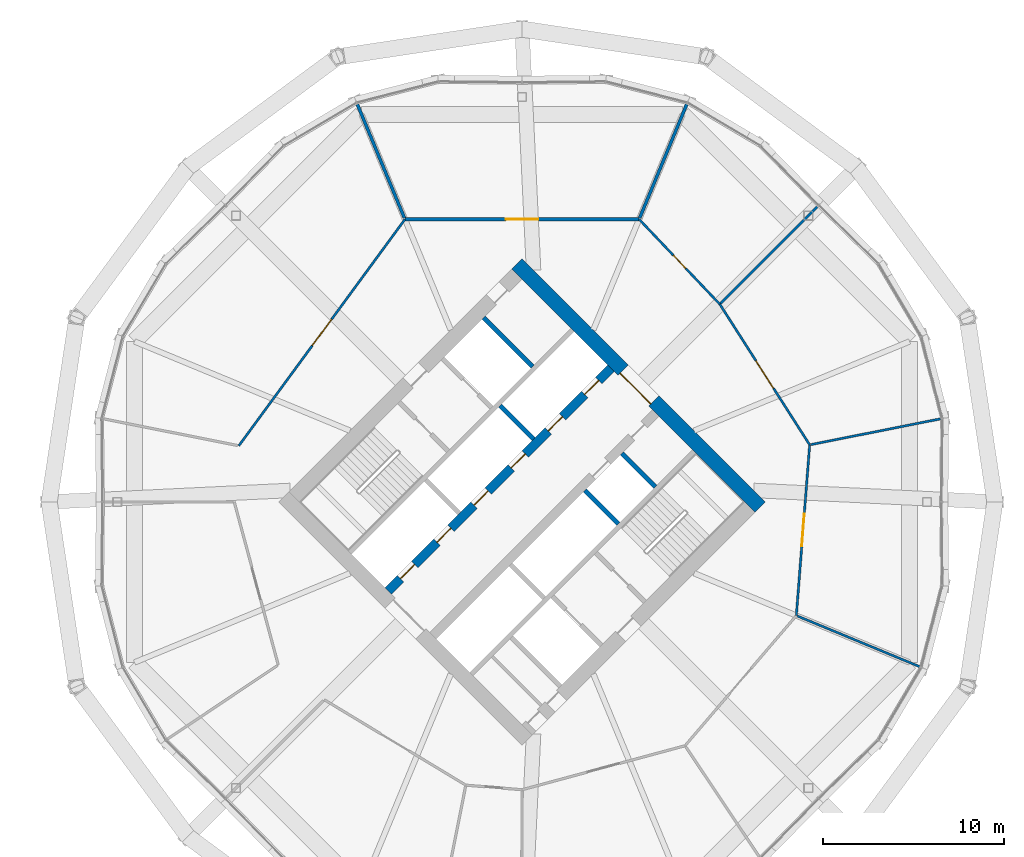
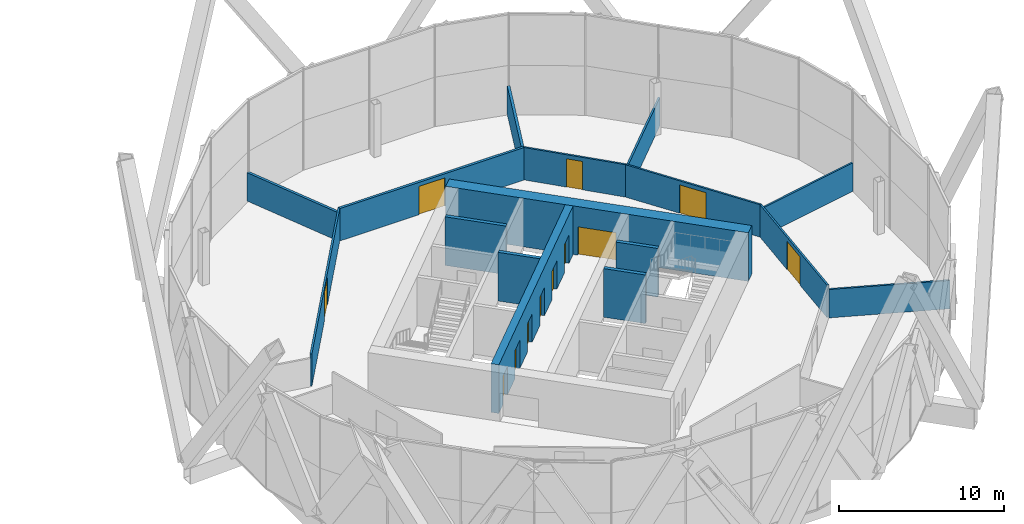
# One storey, part 25 of 28: 16 walls, 12 doors, 12 openings.
"""IFC4 building model written with IfcOpenShell, lengths in metres."""

import ifcopenshell
import ifcopenshell.guid

model = None  # the IFC model being written
_history = None  # IfcOwnerHistory: only IFC2X3 demands one
_inside = {}  # id of a spatial element -> (the spatial element, [elements in it])
_under = {}  # id of a project, library or spatial element -> (it, [spatial elements below it])
_declared = {}  # id of a project -> (the project, [libraries it declares])
_typed = {}  # id of a type object -> (the type object, [elements of that type])
_made_of = {}  # id of a material, layer set ... -> (it, [elements and type objects made of it])


def new_model(schema):
    """Start an empty IFC model of exactly this schema.

    Asked for "IFC4X3", IfcOpenShell would pick the latest addendum, in which some entities
    have other attributes; the version numbers below select the first issue.
    IFC2X3 requires an IfcOwnerHistory on every rooted entity: one is made here for all.
    """
    global model, _history
    if schema == "IFC4X3":
        model = ifcopenshell.file(schema_version=(4, 3, 0, 0))
    else:
        model = ifcopenshell.file(schema=schema)
    _inside.clear()
    _under.clear()
    _declared.clear()
    _typed.clear()
    _made_of.clear()
    _history = None
    if model.schema == "IFC2X3":
        org = make("IfcOrganization", Name="unknown")
        user = make(
            "IfcPersonAndOrganization",
            ThePerson=make("IfcPerson", FamilyName="unknown"),
            TheOrganization=org,
        )
        app = make(
            "IfcApplication",
            ApplicationDeveloper=org,
            Version="unknown",
            ApplicationFullName="unknown",
            ApplicationIdentifier="unknown",
        )
        _history = make(
            "IfcOwnerHistory",
            OwningUser=user,
            OwningApplication=app,
            ChangeAction="ADDED",
            CreationDate=0,
        )
    return model


def make(cls, **values):
    """One entity of the class cls with the attributes given. An attribute that is None is left unset."""
    return model.create_entity(
        cls, **{name: value for name, value in values.items() if value is not None}
    )


def rooted(cls, **values):
    """An entity with a GlobalId (a new one), such as an element, a storey or a relation."""
    return make(cls, GlobalId=ifcopenshell.guid.new(), OwnerHistory=_history, **values)


def si_unit(unit_type, name, prefix=None):
    """IfcSIUnit, for example si_unit("LENGTHUNIT", "METRE", prefix="MILLI")."""
    return make("IfcSIUnit", UnitType=unit_type, Prefix=prefix, Name=name)


def assignment(units):
    """IfcUnitAssignment: the units of a project."""
    return None if units is None else make("IfcUnitAssignment", Units=units)


def point(xyz):
    """IfcCartesianPoint."""
    return None if xyz is None else make("IfcCartesianPoint", Coordinates=xyz)


def direction(xyz):
    """IfcDirection."""
    return None if xyz is None else make("IfcDirection", DirectionRatios=xyz)


def frame(location, z_axis=None, x_axis=None):
    """IfcAxis2Placement3D, a coordinate frame: its origin and axes. An axis left out is left unset."""
    return make(
        "IfcAxis2Placement3D",
        Location=point(location),
        Axis=direction(z_axis),
        RefDirection=direction(x_axis),
    )


def frame_2d(location, x_axis=None):
    """IfcAxis2Placement2D, a coordinate frame in the plane: its origin and x axis."""
    return make(
        "IfcAxis2Placement2D", Location=point(location), RefDirection=direction(x_axis)
    )


def origin():
    """The frame at (0, 0, 0) with its axes left unset."""
    return frame((0.0, 0.0, 0.0))


def place(relative_to, where):
    """IfcLocalPlacement: puts the frame where relative to a parent placement (None: the world)."""
    return make(
        "IfcLocalPlacement", PlacementRelTo=relative_to, RelativePlacement=where
    )


def context(
    kind, dimensions, precision=None, world=None, true_north=None, identifier=None
):
    """IfcGeometricRepresentationContext, for example the 3D "Model" context."""
    return make(
        "IfcGeometricRepresentationContext",
        ContextIdentifier=identifier,
        ContextType=kind,
        CoordinateSpaceDimension=dimensions,
        Precision=precision,
        WorldCoordinateSystem=world,
        TrueNorth=true_north,
    )


def subcontext(parent, identifier, kind, view, scale=None):
    """IfcGeometricRepresentationSubContext, for example "Body" below "Model"."""
    return make(
        "IfcGeometricRepresentationSubContext",
        ContextIdentifier=identifier,
        ContextType=kind,
        ParentContext=parent,
        TargetScale=scale,
        TargetView=view,
    )


def project(units=None, contexts=None):
    """IfcProject with its units and contexts."""
    return rooted(
        "IfcProject",
        Name="project",
        RepresentationContexts=contexts,
        UnitsInContext=assignment(units),
    )


def spatial(cls, under=None, at=None, **own):
    """A site, building, storey or space (cls), placed at a placement, below another one or the project."""
    s = rooted(cls, ObjectPlacement=at, **own)
    if under is not None:
        _under.setdefault(under.id(), (under, []))[1].append(s)
    return s


def profile(cls, at=None, kind="AREA", **sizes):
    """A parametric profile (cls). Its sizes go by their IFC names, for example OverallWidth=200.0."""
    return make(cls, ProfileType=kind, Position=at, **sizes)


def rectangle(**sizes):
    """IfcRectangleProfileDef."""
    return profile("IfcRectangleProfileDef", **sizes)


def extrude(swept, where, along, depth):
    """IfcExtrudedAreaSolid: the profile swept, set in the frame where, extruded along a direction by depth."""
    return make(
        "IfcExtrudedAreaSolid",
        SweptArea=swept,
        Position=where,
        ExtrudedDirection=direction(along),
        Depth=depth,
    )


def shape(context_of_items, identifier, shape_type, items):
    """IfcShapeRepresentation: the items that make up one representation, for example the "Body"."""
    return make(
        "IfcShapeRepresentation",
        ContextOfItems=context_of_items,
        RepresentationIdentifier=identifier,
        RepresentationType=shape_type,
        Items=items,
    )


def material(Name=None, Category=None):
    """IfcMaterial."""
    return make("IfcMaterial", Name=Name, Category=Category)


def layer(
    of_material, thickness, ventilated=None, Name=None, Category=None, Priority=None
):
    """IfcMaterialLayer: one layer of a wall or slab, of a material (None: an air gap)."""
    return make(
        "IfcMaterialLayer",
        Material=of_material,
        LayerThickness=thickness,
        IsVentilated=ventilated,
        Name=Name,
        Category=Category,
        Priority=Priority,
    )


def layer_set(layers, Name=None):
    """IfcMaterialLayerSet."""
    return make("IfcMaterialLayerSet", MaterialLayers=layers, LayerSetName=Name)


def made_of(thing, what):
    """Note that an element or type object is made of a material, layer set ...; save() writes the relation."""
    if what is not None:
        _made_of.setdefault(what.id(), (what, []))[1].append(thing)
    return thing


def type_object(cls, material=None, **own):
    """A type object (cls), such as IfcWallType, which elements share."""
    return made_of(rooted(cls, **own), material)


def element(
    cls,
    number,
    at=None,
    inside=None,
    cuts=None,
    type_object=None,
    material=None,
    context=None,
    identifier="Body",
    shape_type=None,
    held_by="IfcProductDefinitionShape",
    body=None,
    shapes=None,
    **own,
):
    """One element of the class cls, such as IfcWall. Its Tag is "e" and its number.

    at: its placement. inside: the storey or other place that contains it. cuts: it is an
    opening in that element (IfcRelVoidsElement). A single representation is given by context,
    identifier, shape_type and body (its items); several are given by shapes. held_by: the class
    of the entity that holds the representations. save() writes the other relations.
    """
    e = rooted(cls, Tag="e%d" % number, ObjectPlacement=at, **own)
    if body is not None:
        shapes = [shape(context, identifier, shape_type, body)]
    if shapes is not None:
        e.Representation = make(held_by, Representations=shapes)
    if inside is not None:
        _inside.setdefault(inside.id(), (inside, []))[1].append(e)
    if cuts is not None:
        rooted(
            "IfcRelVoidsElement", RelatingBuildingElement=cuts, RelatedOpeningElement=e
        )
    if type_object is not None:
        _typed.setdefault(type_object.id(), (type_object, []))[1].append(e)
    return made_of(e, material)


def fill(opening, filler):
    """IfcRelFillsElement: the door or window that sits in an opening."""
    return rooted(
        "IfcRelFillsElement",
        RelatingOpeningElement=opening,
        RelatedBuildingElement=filler,
    )


def aggregate(whole, parts):
    """IfcRelAggregates: a whole, such as a stair, and the parts it consists of."""
    return rooted("IfcRelAggregates", RelatingObject=whole, RelatedObjects=parts)


def save(model, path):
    """Write the relations noted so far, then the file.

    IfcRelAggregates (storeys below a building ...), IfcRelContainedInSpatialStructure (elements
    in a storey), IfcRelDefinesByType, IfcRelAssociatesMaterial and IfcRelDeclares: one each for
    every whole, place, type object, material and project.
    """
    for whole, parts in _under.values():
        aggregate(whole, parts)
    for where, things in _inside.values():
        rooted(
            "IfcRelContainedInSpatialStructure",
            RelatedElements=things,
            RelatingStructure=where,
        )
    for kind, things in _typed.values():
        rooted("IfcRelDefinesByType", RelatedObjects=things, RelatingType=kind)
    for what, things in _made_of.values():
        rooted("IfcRelAssociatesMaterial", RelatedObjects=things, RelatingMaterial=what)
    for by, libraries in _declared.values():
        rooted("IfcRelDeclares", RelatingContext=by, RelatedDefinitions=libraries)
    model.write(path)


model = new_model("IFC4")

# Units and contexts
model_context = context("Model", 3, precision=1e-05, world=origin(), true_north=direction((0.0, 1.0)))
body_context = subcontext(model_context, "Body", "Model", "MODEL_VIEW")
ifc_project = project(units=[si_unit("LENGTHUNIT", "METRE"), si_unit("AREAUNIT", "SQUARE_METRE"), si_unit("VOLUMEUNIT", "CUBIC_METRE"), si_unit("PLANEANGLEUNIT", "RADIAN"), si_unit("MASSUNIT", "GRAM", prefix="KILO")], contexts=[model_context])

# Site, building, storey
site_placement = place(None, origin())
site = spatial("IfcSite", under=ifc_project, at=site_placement, CompositionType="ELEMENT")
building_placement = place(site_placement, origin())
building = spatial("IfcBuilding", under=site, at=building_placement, Name="Ogive Gate Towers", CompositionType="ELEMENT")
storey_placement = place(building_placement, frame((0.0, 0.0, 115.199951171875)))
storey = spatial("IfcBuildingStorey", under=building, at=storey_placement, Name="L27", CompositionType="ELEMENT", Elevation=115.199951171875)

# Walls
ifc_material_1 = material(Name="Gypsum board acoustic partition")
ifc_layer_1 = layer(ifc_material_1, 0.175048828125)
ifc_layer_set_1 = layer_set([ifc_layer_1], Name="Acoustic partition 175")
wall_type_1 = type_object("IfcWallType", Name="Acoustic partition 175", PredefinedType="PARTITIONING", material=ifc_layer_set_1)
for number, where, z_axis, x_axis, name in (
    (1, (45.124755859375, 22.029052734375, 0.0), (0.0, 0.0, 1.0), (-0.382677442996, -0.923882013367, 0.0), "Partition T2-L27-003"),
    (2, (26.875244140625, 22.029052734375, 0.0), (0.0, 0.0, 1.0), (0.382677442996, -0.923882013367, 0.0), "Partition T2-L27-004"),
):
    element("IfcWall", number, at=place(storey_placement, frame(where, z_axis=z_axis, x_axis=x_axis)), inside=storey, type_object=wall_type_1, Name=name, PredefinedType="PARTITIONING", context=body_context, shape_type="SweptSolid", body=[
        extrude(rectangle(XDim=6.864013671875, YDim=0.175048828125, at=frame_2d((3.43212890625, 0.0))), origin(), (0.0, 0.0, 1.0), 2.10009765625),
    ])

# Wall, opening, door
wall_1_placement = place(storey_placement, frame((42.464599609375, 15.606689453125, 0.0), z_axis=(0.0, 0.0, 1.0), x_axis=(-1.0, 0.0, 0.0)))
wall_1 = element("IfcWall", 3, at=wall_1_placement, inside=storey, type_object=wall_type_1, Name="Partition T2-L27-021", PredefinedType="PARTITIONING", context=body_context, shape_type="SweptSolid", body=[
    extrude(rectangle(XDim=12.92919921875, YDim=0.175048828125, at=frame_2d((6.464599609375, 0.0))), origin(), (0.0, 0.0, 1.0), 2.400146484375),
])
opening_1_placement = place(wall_1_placement, frame((5.56396484375, 0.0, 0.0)))
opening_1 = element("IfcOpeningElement", 4, at=opening_1_placement, cuts=wall_1, Name="Opening T2-L27-D09", PredefinedType="OPENING", context=body_context, shape_type="SweptSolid", body=[
    extrude(rectangle(XDim=1.800048828125, YDim=2.10009765625, at=frame_2d((0.89990234375, 1.050048828125))), frame((0.0, 0.09765625, 0.0), z_axis=(0.0, -1.0, 0.0), x_axis=(1.0, 0.0, 0.0)), (0.0, 0.0, 1.0), 0.195068359375),
])
ifc_material_2 = material(Name="Timber door", Category="wood")
door_type_1 = type_object("IfcDoorType", Name="Door pair 1800", OperationType="NOTDEFINED", PredefinedType="DOOR", material=ifc_material_2)
door_1_placement = place(opening_1_placement, origin())
door_1 = element("IfcDoor", 5, at=door_1_placement, inside=storey, type_object=door_type_1, Name="Door T2-L27-D09", OperationType="DOUBLE_DOOR_DOUBLE_SWING", OverallHeight=2.10009765625, OverallWidth=1.800048828125, PredefinedType="DOOR", context=body_context, shape_type="SweptSolid", body=[
    extrude(rectangle(XDim=1.800048828125, YDim=2.10009765625, at=frame_2d((0.89990234375, 1.050048828125))), frame((0.0, 0.02490234375, 0.0), z_axis=(0.0, -1.0, 0.0), x_axis=(1.0, 0.0, 0.0)), (0.0, 0.0, 1.0), 0.050048828125),
])
fill(opening_1, door_1)

ifc_material_3 = material(Name="Concrete C60/75", Category="concrete")
ifc_layer_2 = layer(ifc_material_3, 0.800048828125)
ifc_layer_set_2 = layer_set([ifc_layer_2], Name="Core wall 800 mm")
wall_type_2 = type_object("IfcWallType", Name="Core wall 800 mm", PredefinedType="SHEAR", material=ifc_layer_set_2)
wall_2_placement = place(storey_placement, frame((49.152099609375, -0.28271484375, 0.0), z_axis=(0.0, 0.0, 1.0), x_axis=(-0.707106781187, 0.707106781187, 0.0)))
wall_2 = element("IfcWall", 6, at=wall_2_placement, inside=storey, type_object=wall_type_2, Name="T2 L27 Core wall 800 mm", PredefinedType="SHEAR", context=body_context, shape_type="SweptSolid", body=[
    extrude(rectangle(XDim=18.999755859375, YDim=0.800048828125, at=frame_2d((9.5, 0.0))), origin(), (0.0, 0.0, 1.0), 3.60009765625),
])
opening_2_placement = place(wall_2_placement, frame((8.300048828125, 0.0, 0.0)))
opening_2 = element("IfcOpeningElement", 7, at=opening_2_placement, cuts=wall_2, Name="Opening KD-T2-L27-02", PredefinedType="OPENING", context=body_context, shape_type="SweptSolid", body=[
    extrude(rectangle(XDim=2.39990234375, YDim=2.10009765625, at=frame_2d((1.199951171875, 1.050048828125))), frame((0.0, 0.41015625, 0.0), z_axis=(0.0, -1.0, 0.0), x_axis=(1.0, 0.0, 0.0)), (0.0, 0.0, 1.0), 0.820068359375),
])
ifc_material_4 = material(Name="Steel fire door", Category="steel")
door_type_2 = type_object("IfcDoorType", Name="Core double door FD60S 2400 x 2100", OperationType="DOUBLE_DOOR_SINGLE_SWING", PredefinedType="DOOR", material=ifc_material_4)
door_2_placement = place(opening_2_placement, origin())
door_2 = element("IfcDoor", 8, at=door_2_placement, inside=storey, type_object=door_type_2, Name="T2 L27 Core door double", OperationType="DOUBLE_DOOR_SINGLE_SWING", OverallHeight=2.10009765625, OverallWidth=2.39990234375, PredefinedType="DOOR", context=body_context, shape_type="SweptSolid", body=[
    extrude(rectangle(XDim=2.39990234375, YDim=2.10009765625, at=frame_2d((1.199951171875, 1.050048828125))), frame((0.0, 0.27490234375, 0.0), z_axis=(0.0, -1.0, 0.0), x_axis=(1.0, 0.0, 0.0)), (0.0, 0.0, 1.0), 0.050048828125),
])
fill(opening_2, door_2)

# Walls
ifc_material_5 = material(Name="Gypsum board partition")
ifc_layer_3 = layer(ifc_material_5, 0.125)
ifc_layer_set_3 = layer_set([ifc_layer_3], Name="Partition 125")
wall_type_3 = type_object("IfcWallType", Name="Partition 125", PredefinedType="PARTITIONING", material=ifc_layer_set_3)
wall_3_placement = place(storey_placement, frame((59.1083984375, 4.5888671875, 0.0), z_axis=(0.0, 0.0, 1.0), x_axis=(-0.980848402392, -0.19477271761, 0.0)))
element("IfcWall", 9, at=wall_3_placement, inside=storey, type_object=wall_type_3, Name="Partition T2-L27-001", PredefinedType="PARTITIONING", context=body_context, shape_type="SweptSolid", body=[
    extrude(rectangle(XDim=7.30517578125, YDim=0.125, at=frame_2d((3.652587890625, 0.0))), origin(), (0.0, 0.0, 1.0), 2.10009765625),
])
wall_4_placement = place(storey_placement, frame((52.4169921875, 16.4169921875, 0.0), z_axis=(0.0, 0.0, 1.0), x_axis=(-0.707106781187, -0.707106781187, 0.0)))
element("IfcWall", 10, at=wall_4_placement, inside=storey, type_object=wall_type_3, Name="Partition T2-L27-002", PredefinedType="PARTITIONING", context=body_context, shape_type="SweptSolid", body=[
    extrude(rectangle(XDim=7.71337890625, YDim=0.125, at=frame_2d((3.856689453125, 0.0))), origin(), (0.0, 0.0, 1.0), 2.10009765625),
])
wall_5_placement = place(storey_placement, frame((58.029052734375, -9.124755859375, 0.0), z_axis=(0.0, 0.0, 1.0), x_axis=(-0.923882331768, 0.382676674291, 0.0)))
element("IfcWall", 11, at=wall_5_placement, inside=storey, type_object=wall_type_3, Name="Partition T2-L27-012", PredefinedType="PARTITIONING", context=body_context, shape_type="SweptSolid", body=[
    extrude(rectangle(XDim=7.38916015625, YDim=0.125, at=frame_2d((3.694580078125, 0.0))), origin(), (0.0, 0.0, 1.0), 2.10009765625),
])

# Wall, opening, door
wall_6_placement = place(storey_placement, frame((51.144775390625, -6.273193359375, 0.0), z_axis=(0.0, 0.0, 1.0), x_axis=(0.07794821481, 0.996957409225, 0.0)))
wall_6 = element("IfcWall", 12, at=wall_6_placement, inside=storey, type_object=wall_type_3, Name="Partition T2-L27-018", PredefinedType="PARTITIONING", context=body_context, shape_type="SweptSolid", body=[
    extrude(rectangle(XDim=9.455810546875, YDim=0.125, at=frame_2d((4.72802734375, 0.0))), origin(), (0.0, 0.0, 1.0), 2.400146484375),
])
opening_3_placement = place(wall_6_placement, frame((3.827880859375, 0.0, 0.0)))
opening_3 = element("IfcOpeningElement", 13, at=opening_3_placement, cuts=wall_6, Name="Opening T2-L27-D06", PredefinedType="OPENING", context=body_context, shape_type="SweptSolid", body=[
    extrude(rectangle(XDim=1.800048828125, YDim=2.10009765625, at=frame_2d((0.89990234375, 1.050048828125))), frame((0.0, 0.072509765625, 0.0), z_axis=(0.0, -1.0, 0.0), x_axis=(1.0, 0.0, 0.0)), (0.0, 0.0, 1.0), 0.14501953125),
])
door_3_placement = place(opening_3_placement, origin())
door_3 = element("IfcDoor", 14, at=door_3_placement, inside=storey, type_object=door_type_1, Name="Door T2-L27-D06", OperationType="DOUBLE_DOOR_DOUBLE_SWING", OverallHeight=2.10009765625, OverallWidth=1.800048828125, PredefinedType="DOOR", context=body_context, shape_type="SweptSolid", body=[
    extrude(rectangle(XDim=1.800048828125, YDim=2.10009765625, at=frame_2d((0.89990234375, 1.050048828125))), frame((0.0, 0.02490234375, 0.0), z_axis=(0.0, -1.0, 0.0), x_axis=(1.0, 0.0, 0.0)), (0.0, 0.0, 1.0), 0.050048828125),
])
fill(opening_3, door_3)

wall_7_placement = place(storey_placement, frame((51.8818359375, 3.15380859375, 0.0), z_axis=(0.0, 0.0, 1.0), x_axis=(-0.538561197049, 0.84258639737, 0.0)))
wall_7 = element("IfcWall", 15, at=wall_7_placement, inside=storey, type_object=wall_type_3, Name="Partition T2-L27-019", PredefinedType="PARTITIONING", context=body_context, shape_type="SweptSolid", body=[
    extrude(rectangle(XDim=9.215576171875, YDim=0.125, at=frame_2d((4.60791015625, 0.0))), origin(), (0.0, 0.0, 1.0), 2.400146484375),
])
opening_4_placement = place(wall_7_placement, frame((3.7080078125, 0.0, 0.0)))
opening_4 = element("IfcOpeningElement", 16, at=opening_4_placement, cuts=wall_7, Name="Opening T2-L27-D07", PredefinedType="OPENING", context=body_context, shape_type="SweptSolid", body=[
    extrude(rectangle(XDim=1.800048828125, YDim=2.10009765625, at=frame_2d((0.89990234375, 1.050048828125))), frame((0.0, 0.072509765625, 0.0), z_axis=(0.0, -1.0, 0.0), x_axis=(1.0, 0.0, 0.0)), (0.0, 0.0, 1.0), 0.14501953125),
])
door_4_placement = place(opening_4_placement, origin())
door_4 = element("IfcDoor", 17, at=door_4_placement, inside=storey, type_object=door_type_1, Name="Door T2-L27-D07", OperationType="DOUBLE_DOOR_DOUBLE_SWING", OverallHeight=2.10009765625, OverallWidth=1.800048828125, PredefinedType="DOOR", context=body_context, shape_type="SweptSolid", body=[
    extrude(rectangle(XDim=1.800048828125, YDim=2.10009765625, at=frame_2d((0.89990234375, 1.050048828125))), frame((0.0, 0.02490234375, 0.0), z_axis=(0.0, -1.0, 0.0), x_axis=(1.0, 0.0, 0.0)), (0.0, 0.0, 1.0), 0.050048828125),
])
fill(opening_4, door_4)

wall_8_placement = place(storey_placement, frame((46.918701171875, 10.918701171875, 0.0), z_axis=(0.0, 0.0, 1.0), x_axis=(-0.688791134482, 0.724959842377, 0.0)))
wall_8 = element("IfcWall", 18, at=wall_8_placement, inside=storey, type_object=wall_type_3, Name="Partition T2-L27-020", PredefinedType="PARTITIONING", context=body_context, shape_type="SweptSolid", body=[
    extrude(rectangle(XDim=6.466552734375, YDim=0.125, at=frame_2d((3.2333984375, 0.0))), origin(), (0.0, 0.0, 1.0), 2.400146484375),
])
opening_5_placement = place(wall_8_placement, frame((2.73291015625, 0.0, 0.0)))
opening_5 = element("IfcOpeningElement", 19, at=opening_5_placement, cuts=wall_8, Name="Opening T2-L27-D08", PredefinedType="OPENING", context=body_context, shape_type="SweptSolid", body=[
    extrude(rectangle(XDim=1.0, YDim=2.10009765625, at=frame_2d((0.5, 1.050048828125))), frame((0.0, 0.072509765625, 0.0), z_axis=(0.0, -1.0, 0.0), x_axis=(1.0, 0.0, 0.0)), (0.0, 0.0, 1.0), 0.14501953125),
])
door_type_3 = type_object("IfcDoorType", Name="Door 1000", OperationType="NOTDEFINED", PredefinedType="DOOR", material=ifc_material_2)
door_5_placement = place(opening_5_placement, origin())
door_5 = element("IfcDoor", 20, at=door_5_placement, inside=storey, type_object=door_type_3, Name="Door T2-L27-D08", OperationType="SINGLE_SWING_LEFT", OverallHeight=2.10009765625, OverallWidth=1.0, PredefinedType="DOOR", context=body_context, shape_type="SweptSolid", body=[
    extrude(rectangle(XDim=1.0, YDim=2.10009765625, at=frame_2d((0.5, 1.050048828125))), frame((0.0, 0.02490234375, 0.0), z_axis=(0.0, -1.0, 0.0), x_axis=(1.0, 0.0, 0.0)), (0.0, 0.0, 1.0), 0.050048828125),
])
fill(opening_5, door_5)

wall_9_placement = place(storey_placement, frame((29.535400390625, 15.606689453125, 0.0), z_axis=(0.0, 0.0, 1.0), x_axis=(-0.591539761616, -0.806275827758, 0.0)))
wall_9 = element("IfcWall", 21, at=wall_9_placement, inside=storey, type_object=wall_type_3, Name="Partition T2-L27-022", PredefinedType="PARTITIONING", context=body_context, shape_type="SweptSolid", body=[
    extrude(rectangle(XDim=15.505615234375, YDim=0.125, at=frame_2d((7.7529296875, 0.0))), origin(), (0.0, 0.0, 1.0), 2.400146484375),
])
opening_6_placement = place(wall_9_placement, frame((6.85302734375, 0.0, 0.0)))
opening_6 = element("IfcOpeningElement", 22, at=opening_6_placement, cuts=wall_9, Name="Opening T2-L27-D10", PredefinedType="OPENING", context=body_context, shape_type="SweptSolid", body=[
    extrude(rectangle(XDim=1.800048828125, YDim=2.10009765625, at=frame_2d((0.89990234375, 1.050048828125))), frame((0.0, 0.072509765625, 0.0), z_axis=(0.0, -1.0, 0.0), x_axis=(1.0, 0.0, 0.0)), (0.0, 0.0, 1.0), 0.14501953125),
])
door_6_placement = place(opening_6_placement, origin())
door_6 = element("IfcDoor", 23, at=door_6_placement, inside=storey, type_object=door_type_1, Name="Door T2-L27-D10", OperationType="DOUBLE_DOOR_DOUBLE_SWING", OverallHeight=2.10009765625, OverallWidth=1.800048828125, PredefinedType="DOOR", context=body_context, shape_type="SweptSolid", body=[
    extrude(rectangle(XDim=1.800048828125, YDim=2.10009765625, at=frame_2d((0.89990234375, 1.050048828125))), frame((0.0, 0.02490234375, 0.0), z_axis=(0.0, -1.0, 0.0), x_axis=(1.0, 0.0, 0.0)), (0.0, 0.0, 1.0), 0.050048828125),
])
fill(opening_6, door_6)

# Walls
ifc_layer_4 = layer(ifc_material_3, 0.25)
ifc_layer_set_4 = layer_set([ifc_layer_4], Name="Shaft wall 250 mm")
wall_type_4 = type_object("IfcWallType", Name="Shaft wall 250 mm", PredefinedType="SHEAR", material=ifc_layer_set_4)
for number, where, z_axis, x_axis, name in (
    (24, (41.321044921875, -1.2197265625, 0.0), (0.0, 0.0, 1.0), (-0.707106781187, 0.707106781187, 0.0), "T2 L27 Shaft wall 250 mm"),
    (25, (36.636474609375, 3.46484375, 0.0), (0.0, 0.0, 1.0), (-0.707106781187, 0.707106781187, 0.0), "T2 L27 Shaft wall 250 mm"),
):
    element("IfcWall", number, at=place(storey_placement, frame(where, z_axis=z_axis, x_axis=x_axis)), inside=storey, type_object=wall_type_4, Name=name, PredefinedType="SHEAR", context=body_context, shape_type="SweptSolid", body=[
        extrude(rectangle(XDim=2.625, YDim=0.25, at=frame_2d((1.3125, 0.0))), origin(), (0.0, 0.0, 1.0), 3.60009765625),
    ])
wall_10_placement = place(storey_placement, frame((36.58349609375, 7.477783203125, 0.0), z_axis=(0.0, 0.0, 1.0), x_axis=(-0.707138693938, 0.707074866995, 0.0)))
element("IfcWall", 26, at=wall_10_placement, inside=storey, type_object=wall_type_4, Name="T2 L27 Shaft wall 250 mm", PredefinedType="SHEAR", context=body_context, shape_type="SweptSolid", body=[
    extrude(rectangle(XDim=3.824951171875, YDim=0.25, at=frame_2d((1.91259765625, 0.0))), origin(), (0.0, 0.0, 1.0), 3.60009765625),
])
wall_11_placement = place(storey_placement, frame((43.37158203125, 0.830810546875, 0.0), z_axis=(0.0, 0.0, 1.0), x_axis=(-0.707106781187, 0.707106781187, 0.0)))
element("IfcWall", 27, at=wall_11_placement, inside=storey, type_object=wall_type_4, Name="T2 L27 Shaft wall 250 mm", PredefinedType="SHEAR", context=body_context, shape_type="SweptSolid", body=[
    extrude(rectangle(XDim=2.625, YDim=0.25, at=frame_2d((1.3125, 0.0))), origin(), (0.0, 0.0, 1.0), 3.60009765625),
])

# Wall, openings, doors
ifc_layer_5 = layer(ifc_material_3, 0.5)
ifc_layer_set_5 = layer_set([ifc_layer_5], Name="Spine wall 500 mm")
wall_type_5 = type_object("IfcWallType", Name="Spine wall 500 mm", PredefinedType="SHEAR", material=ifc_layer_set_5)
wall_12_placement = place(storey_placement, frame((28.610595703125, -4.914306640625, 0.0), z_axis=(0.0, 0.0, 1.0), x_axis=(0.707106781187, 0.707106781187, 0.0)))
wall_12 = element("IfcWall", 28, at=wall_12_placement, inside=storey, type_object=wall_type_5, Name="T2 L27 Spine wall 500 mm", PredefinedType="SHEAR", context=body_context, shape_type="SweptSolid", body=[
    extrude(rectangle(XDim=17.400146484375, YDim=0.5, at=frame_2d((8.7001953125, 0.0))), origin(), (0.0, 0.0, 1.0), 3.60009765625),
])
opening_7_placement = place(wall_12_placement, frame((0.96240234375, 0.0, 0.0)))
opening_7 = element("IfcOpeningElement", 29, at=opening_7_placement, cuts=wall_12, Name="Opening LD-T2-L27-03", PredefinedType="OPENING", context=body_context, shape_type="SweptSolid", body=[
    extrude(rectangle(XDim=1.10009765625, YDim=2.10009765625, at=frame_2d((0.550048828125, 1.050048828125))), frame((0.0, 0.260009765625, 0.0), z_axis=(0.0, -1.0, 0.0), x_axis=(1.0, 0.0, 0.0)), (0.0, 0.0, 1.0), 0.52001953125),
])
opening_8_placement = place(wall_12_placement, frame((3.800048828125, 0.0, 0.0)))
opening_8 = element("IfcOpeningElement", 30, at=opening_8_placement, cuts=wall_12, Name="Opening LD-T2-L27-04", PredefinedType="OPENING", context=body_context, shape_type="SweptSolid", body=[
    extrude(rectangle(XDim=1.10009765625, YDim=2.10009765625, at=frame_2d((0.550048828125, 1.050048828125))), frame((0.0, 0.260009765625, 0.0), z_axis=(0.0, -1.0, 0.0), x_axis=(1.0, 0.0, 0.0)), (0.0, 0.0, 1.0), 0.52001953125),
])
opening_9_placement = place(wall_12_placement, frame((6.699951171875, 0.0, 0.0)))
opening_9 = element("IfcOpeningElement", 31, at=opening_9_placement, cuts=wall_12, Name="Opening LD-T2-L27-05", PredefinedType="OPENING", context=body_context, shape_type="SweptSolid", body=[
    extrude(rectangle(XDim=1.10009765625, YDim=2.10009765625, at=frame_2d((0.550048828125, 1.050048828125))), frame((0.0, 0.260009765625, 0.0), z_axis=(0.0, -1.0, 0.0), x_axis=(1.0, 0.0, 0.0)), (0.0, 0.0, 1.0), 0.52001953125),
])
opening_10_placement = place(wall_12_placement, frame((9.60009765625, 0.0, 0.0)))
opening_10 = element("IfcOpeningElement", 32, at=opening_10_placement, cuts=wall_12, Name="Opening LD-T2-L27-06", PredefinedType="OPENING", context=body_context, shape_type="SweptSolid", body=[
    extrude(rectangle(XDim=1.10009765625, YDim=2.10009765625, at=frame_2d((0.550048828125, 1.050048828125))), frame((0.0, 0.260009765625, 0.0), z_axis=(0.0, -1.0, 0.0), x_axis=(1.0, 0.0, 0.0)), (0.0, 0.0, 1.0), 0.52001953125),
])
opening_11_placement = place(wall_12_placement, frame((12.5, 0.0, 0.0)))
opening_11 = element("IfcOpeningElement", 33, at=opening_11_placement, cuts=wall_12, Name="Opening LD-T2-L27-07", PredefinedType="OPENING", context=body_context, shape_type="SweptSolid", body=[
    extrude(rectangle(XDim=1.10009765625, YDim=2.10009765625, at=frame_2d((0.550048828125, 1.050048828125))), frame((0.0, 0.260009765625, 0.0), z_axis=(0.0, -1.0, 0.0), x_axis=(1.0, 0.0, 0.0)), (0.0, 0.0, 1.0), 0.52001953125),
])
opening_12_placement = place(wall_12_placement, frame((15.33740234375, 0.0, 0.0)))
opening_12 = element("IfcOpeningElement", 34, at=opening_12_placement, cuts=wall_12, Name="Opening LD-T2-L27-08", PredefinedType="OPENING", context=body_context, shape_type="SweptSolid", body=[
    extrude(rectangle(XDim=1.10009765625, YDim=2.10009765625, at=frame_2d((0.550048828125, 1.050048828125))), frame((0.0, 0.260009765625, 0.0), z_axis=(0.0, -1.0, 0.0), x_axis=(1.0, 0.0, 0.0)), (0.0, 0.0, 1.0), 0.52001953125),
])
ifc_material_6 = material(Name="Stainless steel landing door", Category="steel")
door_type_4 = type_object("IfcDoorType", Name="Landing door 1100 x 2100", OperationType="SLIDING_TO_LEFT", PredefinedType="DOOR", material=ifc_material_6)
door_7_placement = place(opening_7_placement, origin())
door_7 = element("IfcDoor", 35, at=door_7_placement, inside=storey, type_object=door_type_4, Name="T2 L27 Lift landing door A1", OperationType="SLIDING_TO_LEFT", OverallHeight=2.10009765625, OverallWidth=1.10009765625, PredefinedType="DOOR", context=body_context, shape_type="SweptSolid", body=[
    extrude(rectangle(XDim=1.10009765625, YDim=2.10009765625, at=frame_2d((0.550048828125, 1.050048828125))), frame((0.0, 0.02490234375, 0.0), z_axis=(0.0, -1.0, 0.0), x_axis=(1.0, 0.0, 0.0)), (0.0, 0.0, 1.0), 0.050048828125),
])
fill(opening_7, door_7)
door_8_placement = place(opening_8_placement, origin())
door_8 = element("IfcDoor", 36, at=door_8_placement, inside=storey, type_object=door_type_4, Name="T2 L27 Lift landing door A2", OperationType="SLIDING_TO_LEFT", OverallHeight=2.10009765625, OverallWidth=1.10009765625, PredefinedType="DOOR", context=body_context, shape_type="SweptSolid", body=[
    extrude(rectangle(XDim=1.10009765625, YDim=2.10009765625, at=frame_2d((0.550048828125, 1.050048828125))), frame((0.0, 0.02490234375, 0.0), z_axis=(0.0, -1.0, 0.0), x_axis=(1.0, 0.0, 0.0)), (0.0, 0.0, 1.0), 0.050048828125),
])
fill(opening_8, door_8)
door_9_placement = place(opening_9_placement, origin())
door_9 = element("IfcDoor", 37, at=door_9_placement, inside=storey, type_object=door_type_4, Name="T2 L27 Lift landing door A3", OperationType="SLIDING_TO_LEFT", OverallHeight=2.10009765625, OverallWidth=1.10009765625, PredefinedType="DOOR", context=body_context, shape_type="SweptSolid", body=[
    extrude(rectangle(XDim=1.10009765625, YDim=2.10009765625, at=frame_2d((0.550048828125, 1.050048828125))), frame((0.0, 0.02490234375, 0.0), z_axis=(0.0, -1.0, 0.0), x_axis=(1.0, 0.0, 0.0)), (0.0, 0.0, 1.0), 0.050048828125),
])
fill(opening_9, door_9)
door_10_placement = place(opening_10_placement, origin())
door_10 = element("IfcDoor", 38, at=door_10_placement, inside=storey, type_object=door_type_4, Name="T2 L27 Lift landing door A4", OperationType="SLIDING_TO_LEFT", OverallHeight=2.10009765625, OverallWidth=1.10009765625, PredefinedType="DOOR", context=body_context, shape_type="SweptSolid", body=[
    extrude(rectangle(XDim=1.10009765625, YDim=2.10009765625, at=frame_2d((0.550048828125, 1.050048828125))), frame((0.0, 0.02490234375, 0.0), z_axis=(0.0, -1.0, 0.0), x_axis=(1.0, 0.0, 0.0)), (0.0, 0.0, 1.0), 0.050048828125),
])
fill(opening_10, door_10)
door_11_placement = place(opening_11_placement, origin())
door_11 = element("IfcDoor", 39, at=door_11_placement, inside=storey, type_object=door_type_4, Name="T2 L27 Lift landing door A5", OperationType="SLIDING_TO_LEFT", OverallHeight=2.10009765625, OverallWidth=1.10009765625, PredefinedType="DOOR", context=body_context, shape_type="SweptSolid", body=[
    extrude(rectangle(XDim=1.10009765625, YDim=2.10009765625, at=frame_2d((0.550048828125, 1.050048828125))), frame((0.0, 0.02490234375, 0.0), z_axis=(0.0, -1.0, 0.0), x_axis=(1.0, 0.0, 0.0)), (0.0, 0.0, 1.0), 0.050048828125),
])
fill(opening_11, door_11)
door_12_placement = place(opening_12_placement, origin())
door_12 = element("IfcDoor", 40, at=door_12_placement, inside=storey, type_object=door_type_4, Name="T2 L27 Lift landing door A6", OperationType="SLIDING_TO_LEFT", OverallHeight=2.10009765625, OverallWidth=1.10009765625, PredefinedType="DOOR", context=body_context, shape_type="SweptSolid", body=[
    extrude(rectangle(XDim=1.10009765625, YDim=2.10009765625, at=frame_2d((0.550048828125, 1.050048828125))), frame((0.0, 0.02490234375, 0.0), z_axis=(0.0, -1.0, 0.0), x_axis=(1.0, 0.0, 0.0)), (0.0, 0.0, 1.0), 0.050048828125),
])
fill(opening_12, door_12)

save(model, "model.ifc")
